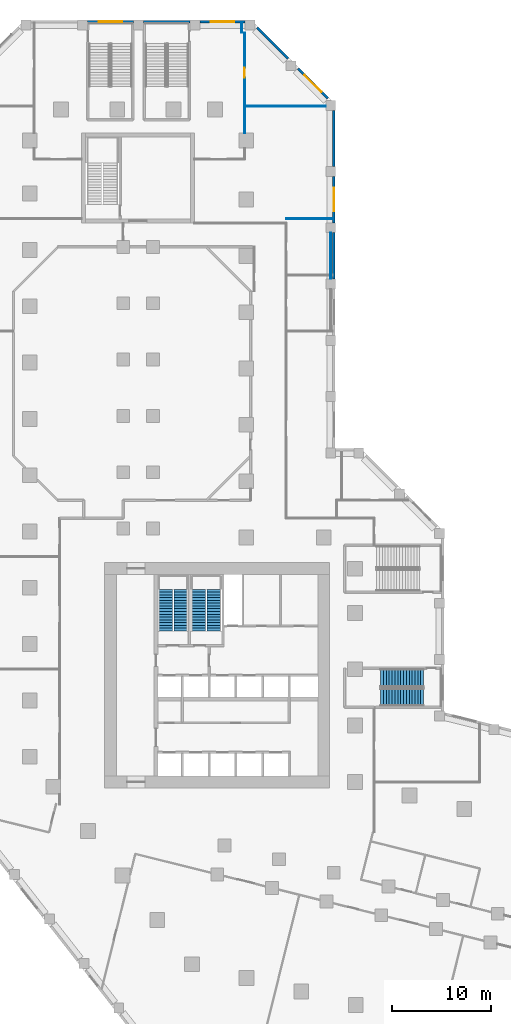
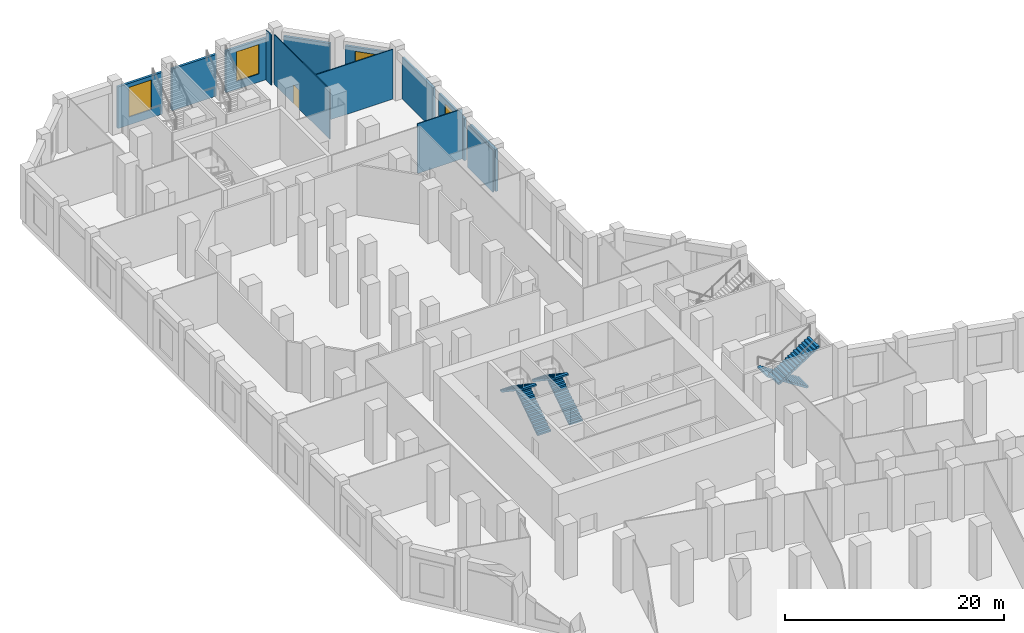
# One storey, part 10 of 15: 13 walls, 6 stair flights, 4 windows, 1 door, 5 openings, 3 elements without a shape of their own.
"""IFC4 building model written with IfcOpenShell, lengths in metres."""

from ifc_helpers import new_model, si_unit, direction, frame, frame_2d, origin, place, context, subcontext, project, spatial, polyline, rectangle, outline, extrude, material, layer, layer_set, type_object, element, fill, aggregate, save


model = new_model("IFC4")

# Units and contexts
model_context = context("Model", 3, precision=1e-05, world=origin(), true_north=direction((0.0, 1.0)))
body_context = subcontext(model_context, "Body", "Model", "MODEL_VIEW")
ifc_project = project(units=[si_unit("LENGTHUNIT", "METRE"), si_unit("AREAUNIT", "SQUARE_METRE"), si_unit("VOLUMEUNIT", "CUBIC_METRE"), si_unit("PLANEANGLEUNIT", "RADIAN"), si_unit("MASSUNIT", "GRAM", prefix="KILO")], contexts=[model_context])

# Site, building, storey
site_placement = place(None, origin())
site = spatial("IfcSite", under=ifc_project, at=site_placement, CompositionType="ELEMENT")
building_placement = place(site_placement, origin())
building = spatial("IfcBuilding", under=site, at=building_placement, Name="Meshkara Civic Tower", CompositionType="ELEMENT")
storey_placement = place(building_placement, frame((0.0, 0.0, 12.60009765625)))
storey = spatial("IfcBuildingStorey", under=building, at=storey_placement, Name="L02", CompositionType="ELEMENT", Elevation=12.60009765625)

# Wall
ifc_material_1 = material(Name="Corridor wall 100")
ifc_layer_1 = layer(ifc_material_1, 0.10009765625)
ifc_layer_set_1 = layer_set([ifc_layer_1], Name="Corridor wall 100")
wall_type_1 = type_object("IfcWallType", Name="Corridor wall 100", PredefinedType="PARTITIONING", material=ifc_layer_set_1)
wall_1_placement = place(storey_placement, frame((21.89990234375, 90.52001953125, 0.0), z_axis=(0.0, 0.0, 1.0), x_axis=(0.0, 1.0, 0.0)))
element("IfcWall", 1, at=wall_1_placement, inside=storey, type_object=wall_type_1, Name="L02-R026", PredefinedType="PARTITIONING", context=body_context, shape_type="SweptSolid", body=[
    extrude(rectangle(XDim=1.0, YDim=0.10009765625, at=frame_2d((0.5, 0.0))), origin(), (0.0, 0.0, 1.0), 5.5498046875),
])

# Wall, opening, door
wall_2_placement = place(storey_placement, frame((22.199951171875, 80.384033203125, 0.0), z_axis=(0.0, 0.0, 1.0), x_axis=(0.0, 1.0, 0.0)))
wall_2 = element("IfcWall", 2, at=wall_2_placement, inside=storey, type_object=wall_type_1, Name="L02-R028", PredefinedType="PARTITIONING", context=body_context, shape_type="SweptSolid", body=[
    extrude(rectangle(XDim=10.135986328125, YDim=0.10009765625, at=frame_2d((5.06787109375, 0.0))), origin(), (0.0, 0.0, 1.0), 5.5498046875),
])
opening_1_placement = place(wall_2_placement, frame((5.595947265625, 0.0, 0.0)))
opening_1 = element("IfcOpeningElement", 3, at=opening_1_placement, cuts=wall_2, Name="Opening L02-P040", PredefinedType="OPENING", context=body_context, shape_type="SweptSolid", body=[
    extrude(rectangle(XDim=1.0, YDim=2.10009765625, at=frame_2d((0.5, 1.050048828125))), frame((0.0, 0.06005859375, 0.0), z_axis=(0.0, -1.0, 0.0), x_axis=(1.0, 0.0, 0.0)), (0.0, 0.0, 1.0), 0.1201171875),
])
ifc_material_2 = material(Name="Door 1000 x 2100")
door_type = type_object("IfcDoorType", Name="Door 1000 x 2100", OperationType="SINGLE_SWING_LEFT", PredefinedType="DOOR", material=ifc_material_2)
door_placement = place(opening_1_placement, origin())
door = element("IfcDoor", 4, at=door_placement, inside=storey, type_object=door_type, Name="L02-P040", OperationType="SINGLE_SWING_RIGHT", OverallHeight=2.10009765625, OverallWidth=1.0, PredefinedType="DOOR", context=body_context, shape_type="SweptSolid", body=[
    extrude(rectangle(XDim=1.0, YDim=2.10009765625, at=frame_2d((0.5, 1.050048828125))), frame((0.0, 0.02490234375, 0.0), z_axis=(0.0, -1.0, 0.0), x_axis=(1.0, 0.0, 0.0)), (0.0, 0.0, 1.0), 0.050048828125),
])
fill(opening_1, door)

# Wall, opening, window
ifc_material_3 = material(Name="Stone cladding on insulated backing wall", Category="masonry")
ifc_layer_2 = layer(ifc_material_3, 0.25)
ifc_layer_set_2 = layer_set([ifc_layer_2], Name="PODIUM STONE WALL 250")
wall_type_2 = type_object("IfcWallType", Name="PODIUM STONE WALL 250", PredefinedType="SOLIDWALL", material=ifc_layer_set_2)
wall_3_placement = place(storey_placement, frame((30.6298828125, 83.885986328125, 0.0), z_axis=(0.0, 0.0, 1.0), x_axis=(-0.707078301545, 0.707135259681, 0.0)))
wall_3 = element("IfcWall", 5, at=wall_3_placement, inside=storey, type_object=wall_type_2, Name="Podium external wall", PredefinedType="SOLIDWALL", context=body_context, shape_type="SweptSolid", body=[
    extrude(rectangle(XDim=4.286376953125, YDim=0.25, at=frame_2d((2.14306640625, 0.0))), origin(), (0.0, 0.0, 1.0), 4.64990234375),
])
opening_2_placement = place(wall_3_placement, frame((0.943115234375, 0.0, 0.89990234375)))
opening_2 = element("IfcOpeningElement", 6, at=opening_2_placement, cuts=wall_3, Name="Opening PW7", PredefinedType="OPENING", context=body_context, shape_type="SweptSolid", body=[
    extrude(rectangle(XDim=2.39990234375, YDim=3.300048828125, at=frame_2d((1.199951171875, 1.64990234375))), frame((0.0, 0.135009765625, 0.0), z_axis=(0.0, -1.0, 0.0), x_axis=(1.0, 0.0, 0.0)), (0.0, 0.0, 1.0), 0.27001953125),
])
ifc_material_4 = material(Name="Tinted double glazing", Category="glass")
window_type = type_object("IfcWindowType", Name="PODIUM WINDOW 2400x3300", PartitioningType="DOUBLE_PANEL_VERTICAL", PredefinedType="WINDOW", material=ifc_material_4)
window_1_placement = place(opening_2_placement, origin())
window_1 = element("IfcWindow", 7, at=window_1_placement, inside=storey, type_object=window_type, Name="Podium window", OverallHeight=3.300048828125, OverallWidth=2.39990234375, PartitioningType="DOUBLE_PANEL_VERTICAL", PredefinedType="WINDOW", context=body_context, shape_type="SweptSolid", body=[
    extrude(rectangle(XDim=2.39990234375, YDim=3.300048828125, at=frame_2d((1.199951171875, 1.64990234375))), frame((0.0, 0.030029296875, 0.0), z_axis=(0.0, -1.0, 0.0), x_axis=(1.0, 0.0, 0.0)), (0.0, 0.0, 1.0), 0.06005859375),
])
fill(opening_2, window_1)

# Wall
wall_4_placement = place(storey_placement, frame((26.59912109375, 87.9169921875, 0.0), z_axis=(0.0, 0.0, 1.0), x_axis=(-0.707106781187, 0.707106781187, 0.0)))
element("IfcWall", 8, at=wall_4_placement, inside=storey, type_object=wall_type_2, Name="Podium external wall", PredefinedType="SOLIDWALL", context=body_context, shape_type="SweptSolid", body=[
    extrude(rectangle(XDim=4.430908203125, YDim=0.25, at=frame_2d((2.21533203125, 0.0))), origin(), (0.0, 0.0, 1.0), 4.64990234375),
])

# Wall, opening, window
wall_5_placement = place(storey_placement, frame((22.236083984375, 91.64501953125, 0.0), z_axis=(0.0, 0.0, 1.0), x_axis=(-1.0, 0.0, 0.0)))
wall_5 = element("IfcWall", 9, at=wall_5_placement, inside=storey, type_object=wall_type_2, Name="Podium external wall", PredefinedType="SOLIDWALL", context=body_context, shape_type="SweptSolid", body=[
    extrude(rectangle(XDim=4.572021484375, YDim=0.25, at=frame_2d((2.2861328125, 0.0))), origin(), (0.0, 0.0, 1.0), 4.64990234375),
])
opening_3_placement = place(wall_5_placement, frame((1.0859375, 0.0, 0.89990234375)))
opening_3 = element("IfcOpeningElement", 10, at=opening_3_placement, cuts=wall_5, Name="Opening PW7", PredefinedType="OPENING", context=body_context, shape_type="SweptSolid", body=[
    extrude(rectangle(XDim=2.39990234375, YDim=3.300048828125, at=frame_2d((1.199951171875, 1.64990234375))), frame((0.0, 0.135009765625, 0.0), z_axis=(0.0, -1.0, 0.0), x_axis=(1.0, 0.0, 0.0)), (0.0, 0.0, 1.0), 0.27001953125),
])
window_2_placement = place(opening_3_placement, origin())
window_2 = element("IfcWindow", 11, at=window_2_placement, inside=storey, type_object=window_type, Name="Podium window", OverallHeight=3.300048828125, OverallWidth=2.39990234375, PartitioningType="DOUBLE_PANEL_VERTICAL", PredefinedType="WINDOW", context=body_context, shape_type="SweptSolid", body=[
    extrude(rectangle(XDim=2.39990234375, YDim=3.300048828125, at=frame_2d((1.199951171875, 1.64990234375))), frame((0.0, 0.030029296875, 0.0), z_axis=(0.0, -1.0, 0.0), x_axis=(1.0, 0.0, 0.0)), (0.0, 0.0, 1.0), 0.06005859375),
])
fill(opening_3, window_2)

# Wall
wall_6_placement = place(storey_placement, frame((16.6640625, 91.64501953125, 0.0), z_axis=(0.0, 0.0, 1.0), x_axis=(-1.0, 0.0, 0.0)))
element("IfcWall", 12, at=wall_6_placement, inside=storey, type_object=wall_type_2, Name="Podium external wall", PredefinedType="SOLIDWALL", context=body_context, shape_type="SweptSolid", body=[
    extrude(rectangle(XDim=4.699951171875, YDim=0.25, at=frame_2d((2.35009765625, 0.0))), origin(), (0.0, 0.0, 1.0), 4.64990234375),
])

# Wall, opening, window
wall_7_placement = place(storey_placement, frame((10.964111328125, 91.64501953125, 0.0), z_axis=(0.0, 0.0, 1.0), x_axis=(-1.0, 0.0, 0.0)))
wall_7 = element("IfcWall", 13, at=wall_7_placement, inside=storey, type_object=wall_type_2, Name="Podium external wall", PredefinedType="SOLIDWALL", context=body_context, shape_type="SweptSolid", body=[
    extrude(rectangle(XDim=4.7001953125, YDim=0.25, at=frame_2d((2.35009765625, 0.0))), origin(), (0.0, 0.0, 1.0), 4.64990234375),
])
opening_4_placement = place(wall_7_placement, frame((1.14990234375, 0.0, 0.89990234375)))
opening_4 = element("IfcOpeningElement", 14, at=opening_4_placement, cuts=wall_7, Name="Opening PW7", PredefinedType="OPENING", context=body_context, shape_type="SweptSolid", body=[
    extrude(rectangle(XDim=2.39990234375, YDim=3.300048828125, at=frame_2d((1.199951171875, 1.64990234375))), frame((0.0, 0.135009765625, 0.0), z_axis=(0.0, -1.0, 0.0), x_axis=(1.0, 0.0, 0.0)), (0.0, 0.0, 1.0), 0.27001953125),
])
window_3_placement = place(opening_4_placement, origin())
window_3 = element("IfcWindow", 15, at=window_3_placement, inside=storey, type_object=window_type, Name="Podium window", OverallHeight=3.300048828125, OverallWidth=2.39990234375, PartitioningType="DOUBLE_PANEL_VERTICAL", PredefinedType="WINDOW", context=body_context, shape_type="SweptSolid", body=[
    extrude(rectangle(XDim=2.39990234375, YDim=3.300048828125, at=frame_2d((1.199951171875, 1.64990234375))), frame((0.0, 0.030029296875, 0.0), z_axis=(0.0, -1.0, 0.0), x_axis=(1.0, 0.0, 0.0)), (0.0, 0.0, 1.0), 0.06005859375),
])
fill(opening_4, window_3)

# Wall
wall_8_placement = place(storey_placement, frame((31.22509765625, 65.60009765625, 0.0), z_axis=(0.0, 0.0, 1.0), x_axis=(0.0, 1.0, 0.0)))
element("IfcWall", 16, at=wall_8_placement, inside=storey, type_object=wall_type_2, Name="Podium external wall", PredefinedType="SOLIDWALL", context=body_context, shape_type="SweptSolid", body=[
    extrude(rectangle(XDim=4.699951171875, YDim=0.25, at=frame_2d((2.35009765625, 0.0))), origin(), (0.0, 0.0, 1.0), 4.64990234375),
])

# Wall, opening, window
wall_9_placement = place(storey_placement, frame((31.22509765625, 71.300048828125, 0.0), z_axis=(0.0, 0.0, 1.0), x_axis=(0.0, 1.0, 0.0)))
wall_9 = element("IfcWall", 17, at=wall_9_placement, inside=storey, type_object=wall_type_2, Name="Podium external wall", PredefinedType="SOLIDWALL", context=body_context, shape_type="SweptSolid", body=[
    extrude(rectangle(XDim=4.699951171875, YDim=0.25, at=frame_2d((2.35009765625, 0.0))), origin(), (0.0, 0.0, 1.0), 4.64990234375),
])
opening_5_placement = place(wall_9_placement, frame((1.14990234375, 0.0, 0.89990234375)))
opening_5 = element("IfcOpeningElement", 18, at=opening_5_placement, cuts=wall_9, Name="Opening PW7", PredefinedType="OPENING", context=body_context, shape_type="SweptSolid", body=[
    extrude(rectangle(XDim=2.39990234375, YDim=3.300048828125, at=frame_2d((1.199951171875, 1.64990234375))), frame((0.0, 0.135009765625, 0.0), z_axis=(0.0, -1.0, 0.0), x_axis=(1.0, 0.0, 0.0)), (0.0, 0.0, 1.0), 0.27001953125),
])
window_4_placement = place(opening_5_placement, origin())
window_4 = element("IfcWindow", 19, at=window_4_placement, inside=storey, type_object=window_type, Name="Podium window", OverallHeight=3.300048828125, OverallWidth=2.39990234375, PartitioningType="DOUBLE_PANEL_VERTICAL", PredefinedType="WINDOW", context=body_context, shape_type="SweptSolid", body=[
    extrude(rectangle(XDim=2.39990234375, YDim=3.300048828125, at=frame_2d((1.199951171875, 1.64990234375))), frame((0.0, 0.030029296875, 0.0), z_axis=(0.0, -1.0, 0.0), x_axis=(1.0, 0.0, 0.0)), (0.0, 0.0, 1.0), 0.06005859375),
])
fill(opening_5, window_4)

# Walls
wall_10_placement = place(storey_placement, frame((31.22509765625, 77.0, 0.0), z_axis=(0.0, 0.0, 1.0), x_axis=(0.0, 1.0, 0.0)))
element("IfcWall", 20, at=wall_10_placement, inside=storey, type_object=wall_type_2, Name="Podium external wall", PredefinedType="SOLIDWALL", context=body_context, shape_type="SweptSolid", body=[
    extrude(rectangle(XDim=5.656005859375, YDim=0.25, at=frame_2d((2.828125, 0.0))), origin(), (0.0, 0.0, 1.0), 4.64990234375),
])
ifc_material_5 = material(Name="Partition 100")
ifc_layer_3 = layer(ifc_material_5, 0.10009765625)
ifc_layer_set_3 = layer_set([ifc_layer_3], Name="Partition 100")
wall_type_3 = type_object("IfcWallType", Name="Partition 100", PredefinedType="PARTITIONING", material=ifc_layer_set_3)
wall_11_placement = place(storey_placement, frame((26.39990234375, 71.699951171875, 0.0), z_axis=(0.0, 0.0, 1.0), x_axis=(1.0, 0.0, 0.0)))
element("IfcWall", 21, at=wall_11_placement, inside=storey, type_object=wall_type_3, Name="L02-R094", PredefinedType="PARTITIONING", context=body_context, shape_type="SweptSolid", body=[
    extrude(rectangle(XDim=4.7001953125, YDim=0.10009765625, at=frame_2d((2.35009765625, 0.0))), origin(), (0.0, 0.0, 1.0), 5.5498046875),
])
wall_12_placement = place(storey_placement, frame((30.3798828125, 83.10009765625, 0.0), z_axis=(0.0, 0.0, 1.0), x_axis=(-1.0, 0.0, 0.0)))
element("IfcWall", 22, at=wall_12_placement, inside=storey, type_object=wall_type_3, Name="L02-R095", PredefinedType="PARTITIONING", context=body_context, shape_type="SweptSolid", body=[
    extrude(rectangle(XDim=8.1298828125, YDim=0.10009765625, at=frame_2d((4.06494140625, 0.0))), origin(), (0.0, 0.0, 1.0), 5.5498046875),
])
wall_13_placement = place(storey_placement, frame((30.89990234375, 70.280029296875, 0.0), z_axis=(0.0, 0.0, 1.0), x_axis=(0.0, -1.0, 0.0)))
element("IfcWall", 23, at=wall_13_placement, inside=storey, type_object=wall_type_3, Name="L02-R099", PredefinedType="PARTITIONING", context=body_context, shape_type="SweptSolid", body=[
    extrude(rectangle(XDim=4.659912109375, YDim=0.10009765625, at=frame_2d((2.330078125, 0.0))), origin(), (0.0, 0.0, 1.0), 4.64990234375),
])

# Stair, stair flights
ifc_material_6 = material(Name="Precast concrete C40/50", Category="concrete")
stair_type_1 = type_object("IfcStairType", Name="Exit stair half-turn 32 risers precast", PredefinedType="HALF_TURN_STAIR", material=ifc_material_6)
stair_1_placement = place(storey_placement, origin())
stair_1 = element("IfcStair", 24, at=stair_1_placement, inside=storey, type_object=stair_type_1, Name="L02 exit stair 1", PredefinedType="HALF_TURN_STAIR")
ifc_material_7 = material(Name="Precast concrete C40/50", Category="concrete")
stair_flight_type_1 = type_object("IfcStairFlightType", Name="Exit stair flight 16 risers precast", PredefinedType="STRAIGHT", material=ifc_material_7)
stair_flight_1_placement = place(storey_placement, frame((15.72509765625, 30.0, 0.0), z_axis=(0.0, 0.0, 1.0), x_axis=(0.0, 1.0, 0.0)))
stair_flight_1 = element("IfcStairFlight", 25, at=stair_flight_1_placement, type_object=stair_flight_type_1, Name="ST1 flight 1", NumberOfRisers=16, NumberOfTreads=15, PredefinedType="STRAIGHT", RiserHeight=0.1875, TreadLength=0.28, context=body_context, shape_type="SweptSolid", body=[
    extrude(outline(polyline([(0.0, 0.0), (0.0, 0.1875), (0.280029296875, 0.1875), (0.280029296875, 0.375), (0.56005859375, 0.375), (0.56005859375, 0.5625), (0.840087890625, 0.5625), (0.840087890625, 0.75), (1.1201171875, 0.75), (1.1201171875, 0.9375), (1.39990234375, 0.9375), (1.39990234375, 1.125), (1.679931640625, 1.125), (1.679931640625, 1.3125), (1.9599609375, 1.3125), (1.9599609375, 1.5), (2.239990234375, 1.5), (2.239990234375, 1.6875), (2.52001953125, 1.6875), (2.52001953125, 1.875), (2.800048828125, 1.875), (2.800048828125, 2.0625), (3.080078125, 2.0625), (3.080078125, 2.25), (3.360107421875, 2.25), (3.360107421875, 2.4375), (3.639892578125, 2.4375), (3.639892578125, 2.625), (3.919921875, 2.625), (3.919921875, 2.8125), (4.199951171875, 2.8125), (4.199951171875, 3.0), (4.199951171875, 2.632080078125), (0.26953125, 0.0), (0.0, 0.0)])), frame((0.0, 0.699951171875, 0.0), z_axis=(0.0, -1.0, 0.0), x_axis=(1.0, 0.0, 0.0)), (0.0, 0.0, 1.0), 1.39990234375),
])
stair_flight_2_placement = place(storey_placement, frame((14.175048828125, 34.199951171875, 3.0), z_axis=(0.0, 0.0, 1.0), x_axis=(0.0, -1.0, 0.0)))
stair_flight_2 = element("IfcStairFlight", 26, at=stair_flight_2_placement, type_object=stair_flight_type_1, Name="ST1 flight 2", NumberOfRisers=16, NumberOfTreads=15, PredefinedType="STRAIGHT", RiserHeight=0.1875, TreadLength=0.28, context=body_context, shape_type="SweptSolid", body=[
    extrude(outline(polyline([(0.0, 0.0), (0.0, 0.1875), (0.280029296875, 0.1875), (0.280029296875, 0.375), (0.56005859375, 0.375), (0.56005859375, 0.5625), (0.840087890625, 0.5625), (0.840087890625, 0.75), (1.1201171875, 0.75), (1.1201171875, 0.9375), (1.39990234375, 0.9375), (1.39990234375, 1.125), (1.679931640625, 1.125), (1.679931640625, 1.3125), (1.9599609375, 1.3125), (1.9599609375, 1.5), (2.239990234375, 1.5), (2.239990234375, 1.6875), (2.52001953125, 1.6875), (2.52001953125, 1.875), (2.800048828125, 1.875), (2.800048828125, 2.0625), (3.080078125, 2.0625), (3.080078125, 2.25), (3.360107421875, 2.25), (3.360107421875, 2.4375), (3.639892578125, 2.4375), (3.639892578125, 2.625), (3.919921875, 2.625), (3.919921875, 2.8125), (4.199951171875, 2.8125), (4.199951171875, 3.0), (4.199951171875, 2.632080078125), (0.26953125, 0.0), (0.0, 0.0)])), frame((0.0, 0.699951171875, 0.0), z_axis=(0.0, -1.0, 0.0), x_axis=(1.0, 0.0, 0.0)), (0.0, 0.0, 1.0), 1.39990234375),
])
aggregate(stair_1, [stair_flight_1, stair_flight_2])

stair_2_placement = place(storey_placement, origin())
stair_2 = element("IfcStair", 27, at=stair_2_placement, inside=storey, type_object=stair_type_1, Name="L02 exit stair 2", PredefinedType="HALF_TURN_STAIR")
stair_flight_3_placement = place(storey_placement, frame((19.074951171875, 30.0, 0.0), z_axis=(0.0, 0.0, 1.0), x_axis=(0.0, 1.0, 0.0)))
stair_flight_3 = element("IfcStairFlight", 28, at=stair_flight_3_placement, type_object=stair_flight_type_1, Name="ST2 flight 1", NumberOfRisers=16, NumberOfTreads=15, PredefinedType="STRAIGHT", RiserHeight=0.1875, TreadLength=0.28, context=body_context, shape_type="SweptSolid", body=[
    extrude(outline(polyline([(0.0, 0.0), (0.0, 0.1875), (0.280029296875, 0.1875), (0.280029296875, 0.375), (0.56005859375, 0.375), (0.56005859375, 0.5625), (0.840087890625, 0.5625), (0.840087890625, 0.75), (1.1201171875, 0.75), (1.1201171875, 0.9375), (1.39990234375, 0.9375), (1.39990234375, 1.125), (1.679931640625, 1.125), (1.679931640625, 1.3125), (1.9599609375, 1.3125), (1.9599609375, 1.5), (2.239990234375, 1.5), (2.239990234375, 1.6875), (2.52001953125, 1.6875), (2.52001953125, 1.875), (2.800048828125, 1.875), (2.800048828125, 2.0625), (3.080078125, 2.0625), (3.080078125, 2.25), (3.360107421875, 2.25), (3.360107421875, 2.4375), (3.639892578125, 2.4375), (3.639892578125, 2.625), (3.919921875, 2.625), (3.919921875, 2.8125), (4.199951171875, 2.8125), (4.199951171875, 3.0), (4.199951171875, 2.632080078125), (0.26953125, 0.0), (0.0, 0.0)])), frame((0.0, 0.699951171875, 0.0), z_axis=(0.0, -1.0, 0.0), x_axis=(1.0, 0.0, 0.0)), (0.0, 0.0, 1.0), 1.39990234375),
])
stair_flight_4_placement = place(storey_placement, frame((17.52490234375, 34.199951171875, 3.0), z_axis=(0.0, 0.0, 1.0), x_axis=(0.0, -1.0, 0.0)))
stair_flight_4 = element("IfcStairFlight", 29, at=stair_flight_4_placement, type_object=stair_flight_type_1, Name="ST2 flight 2", NumberOfRisers=16, NumberOfTreads=15, PredefinedType="STRAIGHT", RiserHeight=0.1875, TreadLength=0.28, context=body_context, shape_type="SweptSolid", body=[
    extrude(outline(polyline([(0.0, 0.0), (0.0, 0.1875), (0.280029296875, 0.1875), (0.280029296875, 0.375), (0.56005859375, 0.375), (0.56005859375, 0.5625), (0.840087890625, 0.5625), (0.840087890625, 0.75), (1.1201171875, 0.75), (1.1201171875, 0.9375), (1.39990234375, 0.9375), (1.39990234375, 1.125), (1.679931640625, 1.125), (1.679931640625, 1.3125), (1.9599609375, 1.3125), (1.9599609375, 1.5), (2.239990234375, 1.5), (2.239990234375, 1.6875), (2.52001953125, 1.6875), (2.52001953125, 1.875), (2.800048828125, 1.875), (2.800048828125, 2.0625), (3.080078125, 2.0625), (3.080078125, 2.25), (3.360107421875, 2.25), (3.360107421875, 2.4375), (3.639892578125, 2.4375), (3.639892578125, 2.625), (3.919921875, 2.625), (3.919921875, 2.8125), (4.199951171875, 2.8125), (4.199951171875, 3.0), (4.199951171875, 2.632080078125), (0.26953125, 0.0), (0.0, 0.0)])), frame((0.0, 0.699951171875, 0.0), z_axis=(0.0, -1.0, 0.0), x_axis=(1.0, 0.0, 0.0)), (0.0, 0.0, 1.0), 1.39990234375),
])
aggregate(stair_2, [stair_flight_3, stair_flight_4])

ifc_material_8 = material(Name="Precast concrete C40/50", Category="concrete")
stair_type_2 = type_object("IfcStairType", Name="Podium exit stair half-turn 32 risers 1800 wide precast", PredefinedType="HALF_TURN_STAIR", material=ifc_material_8)
stair_3_placement = place(storey_placement, origin())
stair_3 = element("IfcStair", 30, at=stair_3_placement, inside=storey, type_object=stair_type_2, Name="L02 podium exit stair PS5", PredefinedType="HALF_TURN_STAIR")
ifc_material_9 = material(Name="Precast concrete C40/50", Category="concrete")
stair_flight_type_2 = type_object("IfcStairFlightType", Name="Podium exit stair flight 16 risers 1800 wide precast", PredefinedType="STRAIGHT", material=ifc_material_9)
stair_flight_5_placement = place(storey_placement, frame((40.300048828125, 25.22509765625, 0.0), z_axis=(0.0, 0.0, 1.0), x_axis=(-1.0, 0.0, 0.0)))
stair_flight_5 = element("IfcStairFlight", 31, at=stair_flight_5_placement, type_object=stair_flight_type_2, Name="PS5 flight 1", NumberOfRisers=16, NumberOfTreads=15, PredefinedType="STRAIGHT", RiserHeight=0.1875, TreadLength=0.29, context=body_context, shape_type="SweptSolid", body=[
    extrude(outline(polyline([(0.0, 0.0), (0.0, 0.1875), (0.2900390625, 0.1875), (0.2900390625, 0.375), (0.580078125, 0.375), (0.580078125, 0.5625), (0.8701171875, 0.5625), (0.8701171875, 0.75), (1.159912109375, 0.75), (1.159912109375, 0.9375), (1.449951171875, 0.9375), (1.449951171875, 1.125), (1.739990234375, 1.125), (1.739990234375, 1.3125), (2.030029296875, 1.3125), (2.030029296875, 1.5), (2.320068359375, 1.5), (2.320068359375, 1.6875), (2.610107421875, 1.6875), (2.610107421875, 1.875), (2.89990234375, 1.875), (2.89990234375, 2.0625), (3.18994140625, 2.0625), (3.18994140625, 2.25), (3.47998046875, 2.25), (3.47998046875, 2.4375), (3.77001953125, 2.4375), (3.77001953125, 2.625), (4.06005859375, 2.625), (4.06005859375, 2.8125), (4.35009765625, 2.8125), (4.35009765625, 3.0), (4.35009765625, 2.634033203125), (0.276123046875, 0.0), (0.0, 0.0)])), frame((0.0, 0.89990234375, 0.0), z_axis=(0.0, -1.0, 0.0), x_axis=(1.0, 0.0, 0.0)), (0.0, 0.0, 1.0), 1.800048828125),
])
stair_flight_6_placement = place(storey_placement, frame((35.949951171875, 23.27490234375, 3.0), z_axis=(0.0, 0.0, 1.0), x_axis=(1.0, 0.0, 0.0)))
stair_flight_6 = element("IfcStairFlight", 32, at=stair_flight_6_placement, type_object=stair_flight_type_2, Name="PS5 flight 2", NumberOfRisers=16, NumberOfTreads=15, PredefinedType="STRAIGHT", RiserHeight=0.1875, TreadLength=0.29, context=body_context, shape_type="SweptSolid", body=[
    extrude(outline(polyline([(0.0, 0.0), (0.0, 0.1875), (0.2900390625, 0.1875), (0.2900390625, 0.375), (0.580078125, 0.375), (0.580078125, 0.5625), (0.8701171875, 0.5625), (0.8701171875, 0.75), (1.159912109375, 0.75), (1.159912109375, 0.9375), (1.449951171875, 0.9375), (1.449951171875, 1.125), (1.739990234375, 1.125), (1.739990234375, 1.3125), (2.030029296875, 1.3125), (2.030029296875, 1.5), (2.320068359375, 1.5), (2.320068359375, 1.6875), (2.610107421875, 1.6875), (2.610107421875, 1.875), (2.89990234375, 1.875), (2.89990234375, 2.0625), (3.18994140625, 2.0625), (3.18994140625, 2.25), (3.47998046875, 2.25), (3.47998046875, 2.4375), (3.77001953125, 2.4375), (3.77001953125, 2.625), (4.06005859375, 2.625), (4.06005859375, 2.8125), (4.35009765625, 2.8125), (4.35009765625, 3.0), (4.35009765625, 2.634033203125), (0.276123046875, 0.0), (0.0, 0.0)])), frame((0.0, 0.89990234375, 0.0), z_axis=(0.0, -1.0, 0.0), x_axis=(1.0, 0.0, 0.0)), (0.0, 0.0, 1.0), 1.800048828125),
])
aggregate(stair_3, [stair_flight_5, stair_flight_6])

save(model, "model.ifc")
